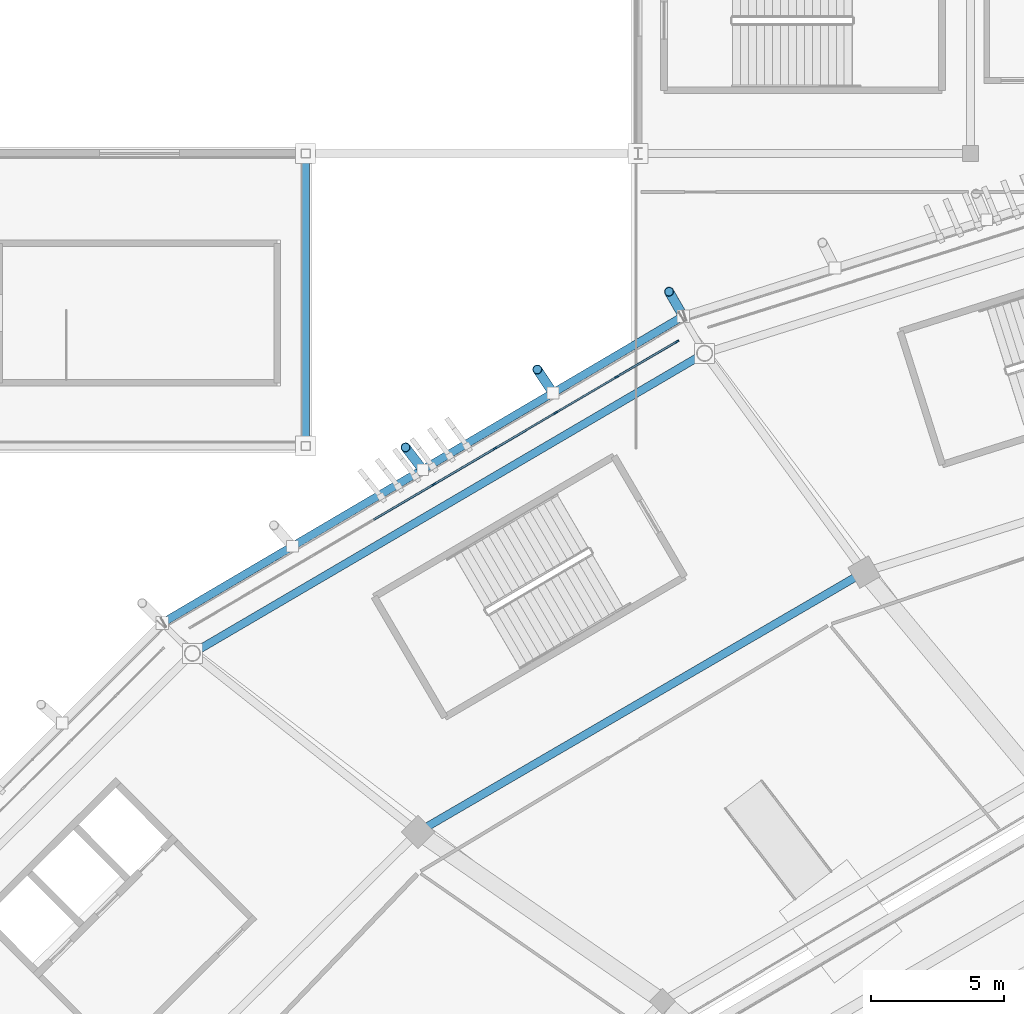
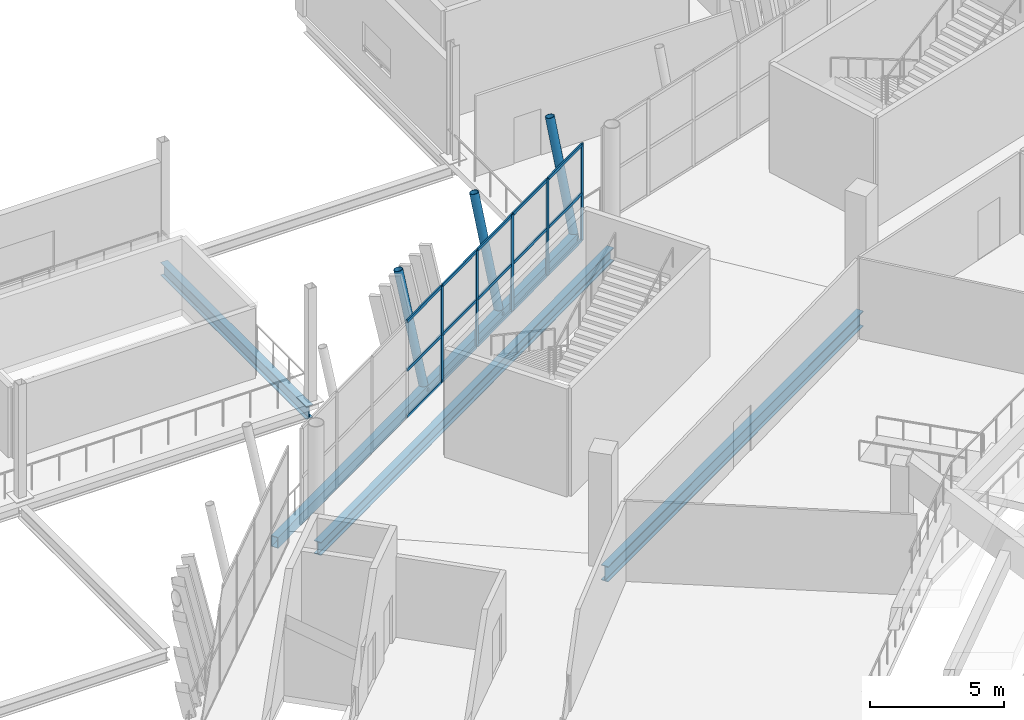
# One storey, part 70 of 178: 23 members, 4 beams, 1 element without a shape of its own.
"""IFC4 building model written with IfcOpenShell, lengths in metres."""

from ifc_helpers import new_model, si_unit, direction, frame, origin, origin_2d, place, context, subcontext, project, spatial, rectangle, hollow_rectangle, hollow_circle, i_section, extrude, material, material_profile, profile_set, type_object, element, aggregate, save


model = new_model("IFC4")

# Units and contexts
model_context = context("Model", 3, precision=1e-05, world=origin(), true_north=direction((0.0, 1.0)))
body_context = subcontext(model_context, "Body", "Model", "MODEL_VIEW")
ifc_project = project(units=[si_unit("LENGTHUNIT", "METRE"), si_unit("AREAUNIT", "SQUARE_METRE"), si_unit("VOLUMEUNIT", "CUBIC_METRE"), si_unit("PLANEANGLEUNIT", "RADIAN"), si_unit("MASSUNIT", "GRAM", prefix="KILO")], contexts=[model_context])

# Site, building, storey
site_placement = place(None, origin())
site = spatial("IfcSite", under=ifc_project, at=site_placement, CompositionType="ELEMENT")
building_placement = place(site_placement, origin())
building = spatial("IfcBuilding", under=site, at=building_placement, Name="Zlatoyarsky Gate Stadium", CompositionType="ELEMENT")
storey_placement = place(building_placement, frame((0.0, 0.0, 5.39990234375)))
storey = spatial("IfcBuildingStorey", under=building, at=storey_placement, Name="L01", CompositionType="ELEMENT", Elevation=5.39990234375)

# Curtain wall, members
ifc_material_1 = material(Name="Thermally broken anodised aluminium curtain wall", Category="aluminium")
curtain_wall_type = type_object("IfcCurtainWallType", Name="UNITISED HOSPITALITY GLAZING L01", PredefinedType="USERDEFINED", material=ifc_material_1)
curtain_wall_placement = place(storey_placement, origin())
curtain_wall = element("IfcCurtainWall", 1, at=curtain_wall_placement, inside=storey, type_object=curtain_wall_type, Name="Curtain wall CW-L01-08", ObjectType="UNITISED GLAZING", PredefinedType="USERDEFINED")
ifc_material_2 = material(Name="Anodised aluminium 6063-T6", Category="aluminium")
ifc_material_profile_1 = material_profile(ifc_material_2, rectangle(XDim=0.06494140625, YDim=0.159912109375, at=origin_2d()), Name="ALU 65X160")
ifc_profile_set_1 = profile_set([ifc_material_profile_1], Name="Anodised aluminium 6063-T6")
member_type_1 = type_object("IfcMemberType", Name="ALUMINIUM MULLION 65X160", PredefinedType="MULLION", material=ifc_profile_set_1)
member_1_placement = place(storey_placement, frame((63.457275390625, 141.928955078125, 0.0), z_axis=(0.0, 0.0, 1.0), x_axis=(0.506588346679, -0.862188057798, 0.0)))
member_1 = element("IfcMember", 2, at=member_1_placement, type_object=member_type_1, Name="CW-UG1 mullion 1", PredefinedType="MULLION", context=body_context, shape_type="SweptSolid", body=[
    extrude(rectangle(XDim=0.06494140625, YDim=0.159912109375, at=origin_2d()), origin(), (0.0, 0.0, 1.0), 4.400146484375),
])
member_2_placement = place(storey_placement, frame((61.1943359375, 140.59912109375, 0.0), z_axis=(0.0, 0.0, 1.0), x_axis=(0.506588346679, -0.862188057798, 0.0)))
member_2 = element("IfcMember", 3, at=member_2_placement, type_object=member_type_1, Name="CW-UG1 mullion 2", PredefinedType="MULLION", context=body_context, shape_type="SweptSolid", body=[
    extrude(rectangle(XDim=0.06494140625, YDim=0.159912109375, at=origin_2d()), origin(), (0.0, 0.0, 1.0), 4.400146484375),
])
member_3_placement = place(storey_placement, frame((58.9033203125, 139.2529296875, 0.0), z_axis=(0.0, 0.0, 1.0), x_axis=(0.506588346679, -0.862188057798, 0.0)))
member_3 = element("IfcMember", 4, at=member_3_placement, type_object=member_type_1, Name="CW-UG1 mullion 3", PredefinedType="MULLION", context=body_context, shape_type="SweptSolid", body=[
    extrude(rectangle(XDim=0.06494140625, YDim=0.159912109375, at=origin_2d()), origin(), (0.0, 0.0, 1.0), 4.400146484375),
])
member_4_placement = place(storey_placement, frame((56.6123046875, 137.906982421875, 0.0), z_axis=(0.0, 0.0, 1.0), x_axis=(0.506588346679, -0.862188057798, 0.0)))
member_4 = element("IfcMember", 5, at=member_4_placement, type_object=member_type_1, Name="CW-UG1 mullion 4", PredefinedType="MULLION", context=body_context, shape_type="SweptSolid", body=[
    extrude(rectangle(XDim=0.06494140625, YDim=0.159912109375, at=origin_2d()), origin(), (0.0, 0.0, 1.0), 4.400146484375),
])
member_5_placement = place(storey_placement, frame((54.3212890625, 136.560791015625, 0.0), z_axis=(0.0, 0.0, 1.0), x_axis=(0.506588346679, -0.862188057798, 0.0)))
member_5 = element("IfcMember", 6, at=member_5_placement, type_object=member_type_1, Name="CW-UG1 mullion 5", PredefinedType="MULLION", context=body_context, shape_type="SweptSolid", body=[
    extrude(rectangle(XDim=0.06494140625, YDim=0.159912109375, at=origin_2d()), origin(), (0.0, 0.0, 1.0), 4.400146484375),
])
ifc_material_profile_2 = material_profile(ifc_material_2, rectangle(XDim=0.06494140625, YDim=0.139892578125, at=origin_2d()), Name="ALU 65X140")
ifc_profile_set_2 = profile_set([ifc_material_profile_2], Name="Anodised aluminium 6063-T6")
member_type_2 = type_object("IfcMemberType", Name="ALUMINIUM TRANSOM 65X140", PredefinedType="USERDEFINED", material=ifc_profile_set_2)
member_6_placement = place(storey_placement, frame((63.429443359375, 141.912353515625, 0.03271484375), z_axis=(-0.862211146606, -0.506549048631, 0.0), x_axis=(0.506549048631, -0.862211146606, 0.0)))
member_6 = element("IfcMember", 7, at=member_6_placement, type_object=member_type_2, Name="CW-UG1 transom 1.1", ObjectType="TRANSOM", PredefinedType="USERDEFINED", context=body_context, shape_type="SweptSolid", body=[
    extrude(rectangle(XDim=0.06494140625, YDim=0.139892578125, at=origin_2d()), origin(), (0.0, 0.0, 1.0), 2.559814453125),
])
member_7_placement = place(storey_placement, frame((63.429443359375, 141.912353515625, 2.150146484375), z_axis=(-0.862211146606, -0.506549048631, 0.0), x_axis=(0.506549048631, -0.862211146606, 0.0)))
member_7 = element("IfcMember", 8, at=member_7_placement, type_object=member_type_2, Name="CW-UG1 transom 1.2", ObjectType="TRANSOM", PredefinedType="USERDEFINED", context=body_context, shape_type="SweptSolid", body=[
    extrude(rectangle(XDim=0.06494140625, YDim=0.139892578125, at=origin_2d()), origin(), (0.0, 0.0, 1.0), 2.559814453125),
])
member_8_placement = place(storey_placement, frame((63.429443359375, 141.912353515625, 4.36767578125), z_axis=(-0.862211146606, -0.506549048631, 0.0), x_axis=(0.506549048631, -0.862211146606, 0.0)))
member_8 = element("IfcMember", 9, at=member_8_placement, type_object=member_type_2, Name="CW-UG1 transom 1.3", ObjectType="TRANSOM", PredefinedType="USERDEFINED", context=body_context, shape_type="SweptSolid", body=[
    extrude(rectangle(XDim=0.06494140625, YDim=0.139892578125, at=origin_2d()), origin(), (0.0, 0.0, 1.0), 2.559814453125),
])
member_9_placement = place(storey_placement, frame((61.166259765625, 140.582763671875, 0.03271484375), z_axis=(-0.862168979747, -0.506620815169, 0.0), x_axis=(0.506620815169, -0.862168979747, 0.0)))
member_9 = element("IfcMember", 10, at=member_9_placement, type_object=member_type_2, Name="CW-UG1 transom 2.1", ObjectType="TRANSOM", PredefinedType="USERDEFINED", context=body_context, shape_type="SweptSolid", body=[
    extrude(rectangle(XDim=0.06494140625, YDim=0.139892578125, at=origin_2d()), origin(), (0.0, 0.0, 1.0), 2.592041015625),
])
member_10_placement = place(storey_placement, frame((61.166259765625, 140.582763671875, 2.150146484375), z_axis=(-0.862168979747, -0.506620815169, 0.0), x_axis=(0.506620815169, -0.862168979747, 0.0)))
member_10 = element("IfcMember", 11, at=member_10_placement, type_object=member_type_2, Name="CW-UG1 transom 2.2", ObjectType="TRANSOM", PredefinedType="USERDEFINED", context=body_context, shape_type="SweptSolid", body=[
    extrude(rectangle(XDim=0.06494140625, YDim=0.139892578125, at=origin_2d()), origin(), (0.0, 0.0, 1.0), 2.592041015625),
])
member_11_placement = place(storey_placement, frame((61.166259765625, 140.582763671875, 4.36767578125), z_axis=(-0.862168979747, -0.506620815169, 0.0), x_axis=(0.506620815169, -0.862168979747, 0.0)))
member_11 = element("IfcMember", 12, at=member_11_placement, type_object=member_type_2, Name="CW-UG1 transom 2.3", ObjectType="TRANSOM", PredefinedType="USERDEFINED", context=body_context, shape_type="SweptSolid", body=[
    extrude(rectangle(XDim=0.06494140625, YDim=0.139892578125, at=origin_2d()), origin(), (0.0, 0.0, 1.0), 2.592041015625),
])
member_12_placement = place(storey_placement, frame((58.875244140625, 139.236572265625, 0.03271484375), z_axis=(-0.862168979747, -0.506620815169, 0.0), x_axis=(0.506620815169, -0.862168979747, 0.0)))
member_12 = element("IfcMember", 13, at=member_12_placement, type_object=member_type_2, Name="CW-UG1 transom 3.1", ObjectType="TRANSOM", PredefinedType="USERDEFINED", context=body_context, shape_type="SweptSolid", body=[
    extrude(rectangle(XDim=0.06494140625, YDim=0.139892578125, at=origin_2d()), origin(), (0.0, 0.0, 1.0), 2.592041015625),
])
member_13_placement = place(storey_placement, frame((58.875244140625, 139.236572265625, 2.150146484375), z_axis=(-0.862168979747, -0.506620815169, 0.0), x_axis=(0.506620815169, -0.862168979747, 0.0)))
member_13 = element("IfcMember", 14, at=member_13_placement, type_object=member_type_2, Name="CW-UG1 transom 3.2", ObjectType="TRANSOM", PredefinedType="USERDEFINED", context=body_context, shape_type="SweptSolid", body=[
    extrude(rectangle(XDim=0.06494140625, YDim=0.139892578125, at=origin_2d()), origin(), (0.0, 0.0, 1.0), 2.592041015625),
])
member_14_placement = place(storey_placement, frame((58.875244140625, 139.236572265625, 4.36767578125), z_axis=(-0.862168979747, -0.506620815169, 0.0), x_axis=(0.506620815169, -0.862168979747, 0.0)))
member_14 = element("IfcMember", 15, at=member_14_placement, type_object=member_type_2, Name="CW-UG1 transom 3.3", ObjectType="TRANSOM", PredefinedType="USERDEFINED", context=body_context, shape_type="SweptSolid", body=[
    extrude(rectangle(XDim=0.06494140625, YDim=0.139892578125, at=origin_2d()), origin(), (0.0, 0.0, 1.0), 2.592041015625),
])
member_15_placement = place(storey_placement, frame((56.584228515625, 137.890380859375, 0.03271484375), z_axis=(-0.862168979747, -0.506620815169, 0.0), x_axis=(0.506620815169, -0.862168979747, 0.0)))
member_15 = element("IfcMember", 16, at=member_15_placement, type_object=member_type_2, Name="CW-UG1 transom 4.1", ObjectType="TRANSOM", PredefinedType="USERDEFINED", context=body_context, shape_type="SweptSolid", body=[
    extrude(rectangle(XDim=0.06494140625, YDim=0.139892578125, at=origin_2d()), origin(), (0.0, 0.0, 1.0), 2.592041015625),
])
member_16_placement = place(storey_placement, frame((56.584228515625, 137.890380859375, 2.150146484375), z_axis=(-0.862168979747, -0.506620815169, 0.0), x_axis=(0.506620815169, -0.862168979747, 0.0)))
member_16 = element("IfcMember", 17, at=member_16_placement, type_object=member_type_2, Name="CW-UG1 transom 4.2", ObjectType="TRANSOM", PredefinedType="USERDEFINED", context=body_context, shape_type="SweptSolid", body=[
    extrude(rectangle(XDim=0.06494140625, YDim=0.139892578125, at=origin_2d()), origin(), (0.0, 0.0, 1.0), 2.592041015625),
])
member_17_placement = place(storey_placement, frame((56.584228515625, 137.890380859375, 4.36767578125), z_axis=(-0.862168979747, -0.506620815169, 0.0), x_axis=(0.506620815169, -0.862168979747, 0.0)))
member_17 = element("IfcMember", 18, at=member_17_placement, type_object=member_type_2, Name="CW-UG1 transom 4.3", ObjectType="TRANSOM", PredefinedType="USERDEFINED", context=body_context, shape_type="SweptSolid", body=[
    extrude(rectangle(XDim=0.06494140625, YDim=0.139892578125, at=origin_2d()), origin(), (0.0, 0.0, 1.0), 2.592041015625),
])
member_18_placement = place(storey_placement, frame((54.293212890625, 136.54443359375, 0.03271484375), z_axis=(-0.862168979747, -0.506620815169, 0.0), x_axis=(0.506620815169, -0.862168979747, 0.0)))
member_18 = element("IfcMember", 19, at=member_18_placement, type_object=member_type_2, Name="CW-UG1 transom 5.1", ObjectType="TRANSOM", PredefinedType="USERDEFINED", context=body_context, shape_type="SweptSolid", body=[
    extrude(rectangle(XDim=0.06494140625, YDim=0.139892578125, at=origin_2d()), origin(), (0.0, 0.0, 1.0), 2.592041015625),
])
member_19_placement = place(storey_placement, frame((54.293212890625, 136.54443359375, 2.150146484375), z_axis=(-0.862168979747, -0.506620815169, 0.0), x_axis=(0.506620815169, -0.862168979747, 0.0)))
member_19 = element("IfcMember", 20, at=member_19_placement, type_object=member_type_2, Name="CW-UG1 transom 5.2", ObjectType="TRANSOM", PredefinedType="USERDEFINED", context=body_context, shape_type="SweptSolid", body=[
    extrude(rectangle(XDim=0.06494140625, YDim=0.139892578125, at=origin_2d()), origin(), (0.0, 0.0, 1.0), 2.592041015625),
])
member_20_placement = place(storey_placement, frame((54.293212890625, 136.54443359375, 4.36767578125), z_axis=(-0.862168979747, -0.506620815169, 0.0), x_axis=(0.506620815169, -0.862168979747, 0.0)))
member_20 = element("IfcMember", 21, at=member_20_placement, type_object=member_type_2, Name="CW-UG1 transom 5.3", ObjectType="TRANSOM", PredefinedType="USERDEFINED", context=body_context, shape_type="SweptSolid", body=[
    extrude(rectangle(XDim=0.06494140625, YDim=0.139892578125, at=origin_2d()), origin(), (0.0, 0.0, 1.0), 2.592041015625),
])
aggregate(curtain_wall, [member_1, member_2, member_3, member_4, member_5, member_6, member_7, member_8, member_9, member_10, member_11, member_12, member_13, member_14, member_15, member_16, member_17, member_18, member_19, member_20])

# Members
ifc_material_3 = material(Name="Steel S355", Category="steel")
ifc_material_profile_3 = material_profile(ifc_material_3, hollow_circle(Radius=0.177734375, WallThickness=0.02001953125, at=origin_2d()), Name="CHS 355.6X20")
ifc_profile_set_3 = profile_set([ifc_material_profile_3], Name="Steel S355")
member_type_3 = type_object("IfcMemberType", Name="STEEL LEANING RIB RING STRUT CHS 355.6X20", PredefinedType="STRUT", material=ifc_profile_set_3)
member_21_placement = place(storey_placement, frame((63.69580078125, 142.880859375, -0.599853515625), z_axis=(-0.100167839717, 0.173483733379, 0.979729451501), x_axis=(-0.866010359988, -0.500026055714, 0.0)))
element("IfcMember", 22, at=member_21_placement, inside=storey, type_object=member_type_3, Name="Leaning ring strut 08 L01 to L02", PredefinedType="STRUT", context=body_context, shape_type="SweptSolid", body=[
    extrude(hollow_circle(Radius=0.177734375, WallThickness=0.02001953125, at=origin_2d()), origin(), (0.0, 0.0, 1.0), 5.327880859375),
])
member_22_placement = place(storey_placement, frame((58.79736328125, 139.99609375, -0.5498046875), z_axis=(-0.110596943745, 0.165597495959, 0.979972339082), x_axis=(-0.83158967587, -0.555390503148, 0.0)))
element("IfcMember", 23, at=member_22_placement, inside=storey, type_object=member_type_3, Name="Outward-leaning bowl louvre fin rib L01 08-1", PredefinedType="STRUT", context=body_context, shape_type="SweptSolid", body=[
    extrude(hollow_circle(Radius=0.177734375, WallThickness=0.02001953125, at=origin_2d()), origin(), (0.0, 0.0, 1.0), 5.32666015625),
])
member_23_placement = place(storey_placement, frame((53.898681640625, 137.111328125, -0.5498046875), z_axis=(-0.120966219196, 0.157636539528, 0.980060148776), x_axis=(-0.793335236523, -0.608785021572, 0.0)))
element("IfcMember", 24, at=member_23_placement, inside=storey, type_object=member_type_3, Name="Outward-leaning bowl louvre fin rib L01 08-2", PredefinedType="STRUT", context=body_context, shape_type="SweptSolid", body=[
    extrude(hollow_circle(Radius=0.177734375, WallThickness=0.02001953125, at=origin_2d()), origin(), (0.0, 0.0, 1.0), 5.326171875),
])

# Beams
ifc_material_profile_4 = material_profile(ifc_material_3, hollow_rectangle(XDim=0.300048828125, YDim=0.5, WallThickness=0.02001953125, at=origin_2d()), Name="RHS 500X300X20")
ifc_profile_set_4 = profile_set([ifc_material_profile_4], Name="Steel S355")
beam_type_1 = type_object("IfcBeamType", Name="STEEL LOUVRE CARRIER SPANDREL RHS 500X300X20", PredefinedType="SPANDREL", material=ifc_profile_set_4)
beam_1_placement = place(storey_placement, frame((63.6787109375, 142.87060546875, -0.5498046875), z_axis=(-0.861688039608, -0.50743839271, 0.0), x_axis=(0.50743839271, -0.861688039608, 0.0)))
element("IfcBeam", 25, at=beam_1_placement, inside=storey, type_object=beam_type_1, Name="Beam SP-RHS500 BM-L01-SPD-08", PredefinedType="SPANDREL", context=body_context, shape_type="SweptSolid", body=[
    extrude(hollow_rectangle(XDim=0.300048828125, YDim=0.5, WallThickness=0.02001953125, at=origin_2d()), origin(), (0.0, 0.0, 1.0), 22.699462890625),
])
ifc_material_profile_5 = material_profile(ifc_material_3, i_section(OverallWidth=0.300048828125, OverallDepth=0.60009765625, WebThickness=0.015380859375, FlangeThickness=0.030029296875, FilletRadius=0.027099609375, at=origin_2d()), Name="HEB 600")
ifc_profile_set_5 = profile_set([ifc_material_profile_5], Name="Steel S355")
beam_type_2 = type_object("IfcBeamType", Name="STEEL PRIMARY GIRDER HEB 600", PredefinedType="BEAM", material=ifc_profile_set_5)
beam_2_placement = place(storey_placement, frame((64.396484375, 141.427001953125, -0.599853515625), z_axis=(-0.862854775092, -0.505451913738, 0.0), x_axis=(0.505451913738, -0.862854775092, 0.0)))
element("IfcBeam", 26, at=beam_2_placement, inside=storey, type_object=beam_type_2, Name="Beam G-HEB600 BM-L01-CRC-08", PredefinedType="BEAM", context=body_context, shape_type="SweptSolid", body=[
    extrude(i_section(OverallWidth=0.300048828125, OverallDepth=0.60009765625, WebThickness=0.015380859375, FlangeThickness=0.030029296875, FilletRadius=0.027099609375, at=origin_2d()), origin(), (0.0, 0.0, 1.0), 22.08251953125),
])
beam_3_placement = place(storey_placement, frame((49.5, 138.080078125, -0.599853515625), z_axis=(0.0, 1.0, 0.0), x_axis=(-1.0, 0.0, 0.0)))
element("IfcBeam", 27, at=beam_3_placement, inside=storey, type_object=beam_type_2, Name="Beam G-HEB600 BM-L01-WGY-5-N", PredefinedType="BEAM", context=body_context, shape_type="SweptSolid", body=[
    extrude(i_section(OverallWidth=0.300048828125, OverallDepth=0.60009765625, WebThickness=0.015380859375, FlangeThickness=0.030029296875, FilletRadius=0.027099609375, at=origin_2d()), origin(), (0.0, 0.0, 1.0), 10.83984375),
])
ifc_material_profile_6 = material_profile(ifc_material_3, i_section(OverallWidth=0.300048828125, OverallDepth=0.699951171875, WebThickness=0.01708984375, FlangeThickness=0.031982421875, FilletRadius=0.027099609375, at=origin_2d()), Name="HEB 700")
ifc_profile_set_6 = profile_set([ifc_material_profile_6], Name="Steel S355")
beam_type_3 = type_object("IfcBeamType", Name="STEEL PRIMARY GIRDER HEB 700", PredefinedType="BEAM", material=ifc_profile_set_6)
beam_4_placement = place(storey_placement, frame((70.396240234375, 133.2001953125, -0.64990234375), z_axis=(-0.864054462945, -0.503398336375, 0.0), x_axis=(0.503398336375, -0.864054462945, 0.0)))
element("IfcBeam", 28, at=beam_4_placement, inside=storey, type_object=beam_type_3, Name="Beam G-HEB700 BM-L01-CRB-08", PredefinedType="BEAM", context=body_context, shape_type="SweptSolid", body=[
    extrude(i_section(OverallWidth=0.300048828125, OverallDepth=0.699951171875, WebThickness=0.01708984375, FlangeThickness=0.031982421875, FilletRadius=0.027099609375, at=origin_2d()), origin(), (0.0, 0.0, 1.0), 19.1748046875),
])

save(model, "model.ifc")
